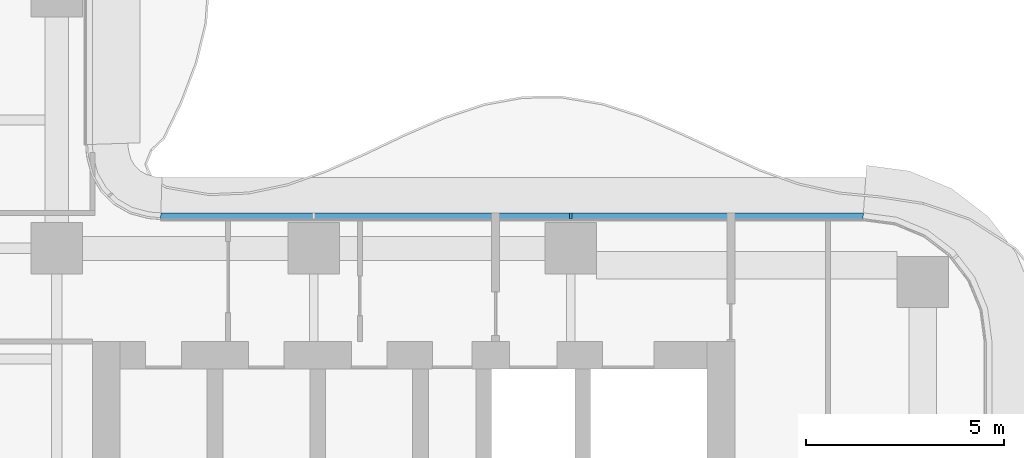
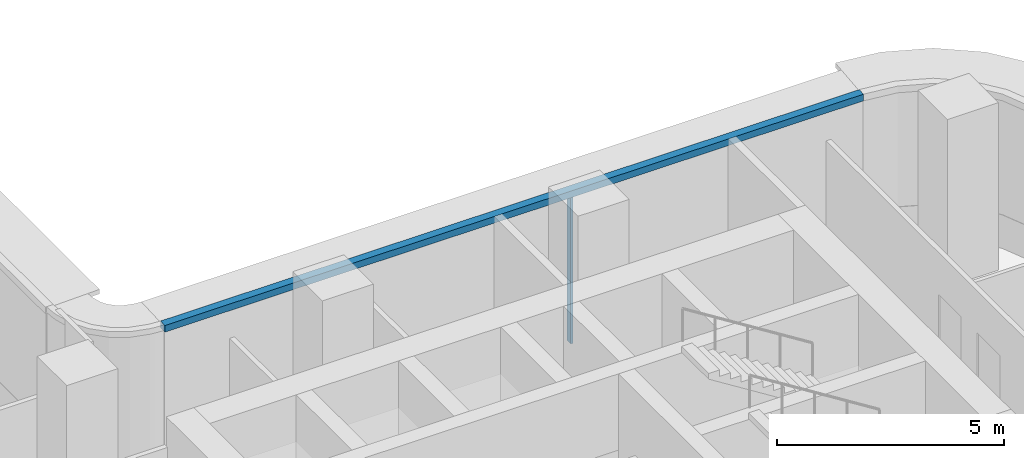
# One storey, part 10 of 20: 2 members, 1 element without a shape of its own.
"""IFC4 building model written with IfcOpenShell, lengths in metres."""

from ifc_helpers import new_model, si_unit, direction, frame, origin, origin_2d, place, context, subcontext, project, spatial, polyline, rectangle, outline, extrude, source, transform, mapped, material, layer, layer_set, material_profile, profile_set, type_object, element, aggregate, save


model = new_model("IFC4")

# Units and contexts
model_context = context("Model", 3, precision=1e-05, world=origin(), true_north=direction((0.0, 1.0)))
body_context = subcontext(model_context, "Body", "Model", "MODEL_VIEW")
ifc_project = project(units=[si_unit("LENGTHUNIT", "METRE"), si_unit("AREAUNIT", "SQUARE_METRE"), si_unit("VOLUMEUNIT", "CUBIC_METRE"), si_unit("PLANEANGLEUNIT", "RADIAN"), si_unit("MASSUNIT", "GRAM", prefix="KILO")], contexts=[model_context])

# Site, building, storey
site_placement = place(None, origin())
site = spatial("IfcSite", under=ifc_project, at=site_placement, CompositionType="ELEMENT")
building_placement = place(site_placement, origin())
building = spatial("IfcBuilding", under=site, at=building_placement, Name="Trellis Farm Tower", CompositionType="ELEMENT")
storey_placement = place(building_placement, frame((0.0, 0.0, 151.5)))
storey = spatial("IfcBuildingStorey", under=building, at=storey_placement, Name="L32", CompositionType="ELEMENT", Elevation=151.5)

# Curtain wall, members
ifc_material_1 = material(Name="Aluminium and glass curtain wall", Category="aluminium")
ifc_layer_1 = layer(ifc_material_1, 0.18994140625)
ifc_layer_set_1 = layer_set([ifc_layer_1], Name="RIBBON CURTAIN WALL CW1")
curtain_wall_type = type_object("IfcCurtainWallType", Name="RIBBON CURTAIN WALL CW1", PredefinedType="NOTDEFINED", material=ifc_layer_set_1)
curtain_wall_placement = place(storey_placement, origin())
curtain_wall = element("IfcCurtainWall", 1, at=curtain_wall_placement, inside=storey, type_object=curtain_wall_type, Name="CW1 008", PredefinedType="NOTDEFINED")
ifc_material_2 = material(Name="Aluminium extrusion 6063-T6", Category="aluminium")
ifc_layer_2 = layer(ifc_material_2, 0.199951171875)
ifc_layer_set_2 = layer_set([ifc_layer_2], Name="Aluminium extrusion 6063-T6")
member_type_1 = type_object("IfcMemberType", Name="CW1 TRANSOM 200x180", PredefinedType="USERDEFINED", material=ifc_layer_set_2)
shared_shape_1 = source(origin(), body_context, "Body", "SweptSolid", [
    extrude(outline(polyline([(26.0, 6.5), (8.2314453125, 6.5), (8.224853515625, 6.300048828125), (25.98681640625, 6.300048828125), (26.0, 6.5)])), origin(), (0.0, 0.0, 1.0), 0.179931640625),
])
member_1_placement = place(storey_placement, frame((0.0, 0.0, 3.969970703125)))
member_1 = element("IfcMember", 2, at=member_1_placement, type_object=member_type_1, Name="TR1 008", ObjectType="TRANSOM", PredefinedType="USERDEFINED", context=body_context, shape_type="MappedRepresentation", body=[
    mapped(shared_shape_1, transform((0.0, 0.0, 0.0))),
])
ifc_material_profile = material_profile(ifc_material_2, rectangle(XDim=0.06005859375, YDim=0.14990234375, at=origin_2d()), Name="MULLION 60x150")
ifc_profile_set = profile_set([ifc_material_profile], Name="Aluminium extrusion 6063-T6")
member_type_2 = type_object("IfcMemberType", Name="CW1 MULLION 60x150", PredefinedType="MULLION", material=ifc_profile_set)
shared_shape_2 = source(origin(), body_context, "Body", "SweptSolid", [
    extrude(rectangle(XDim=0.06005859375, YDim=0.14990234375, at=origin_2d()), origin(), (0.0, 0.0, 1.0), 3.969970703125),
])
member_2_placement = place(storey_placement, frame((18.60009765625, 6.425048828125, 0.0), z_axis=(0.0, 0.0, 1.0), x_axis=(-1.0, 0.0, 0.0)))
member_2 = element("IfcMember", 3, at=member_2_placement, type_object=member_type_2, Name="MU1 008-01", PredefinedType="MULLION", context=body_context, shape_type="MappedRepresentation", body=[
    mapped(shared_shape_2, transform((0.0, 0.0, 0.0))),
])
aggregate(curtain_wall, [member_2, member_1])

save(model, "model.ifc")
